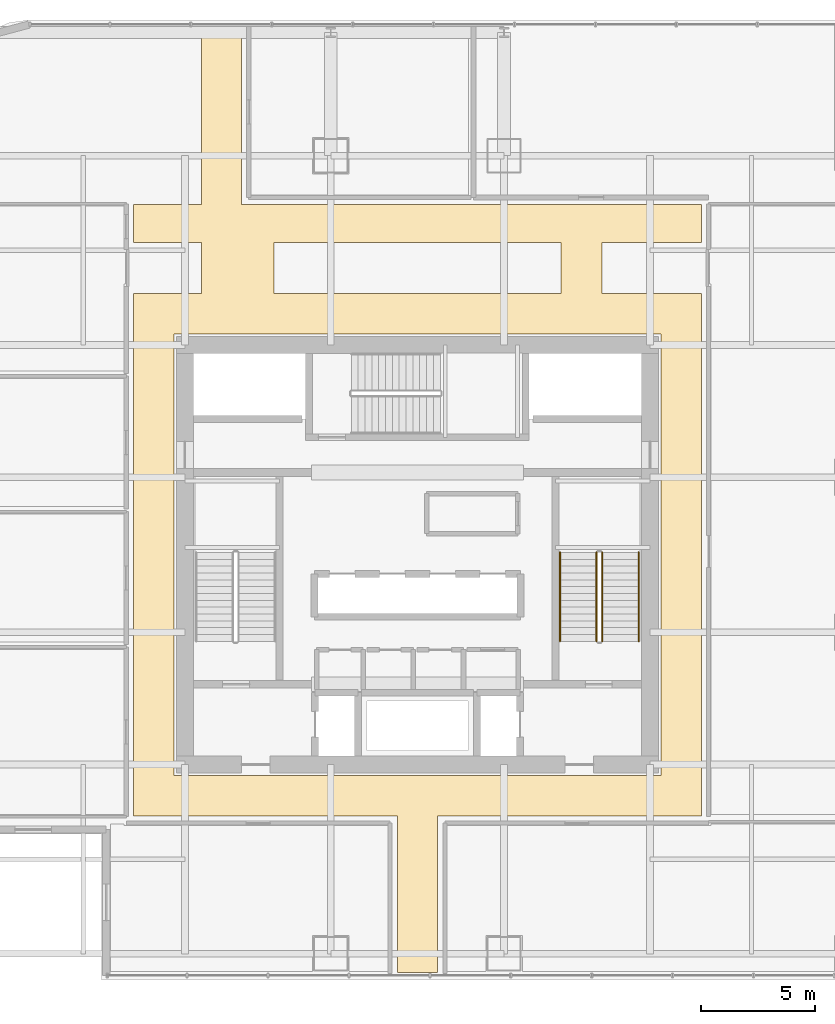
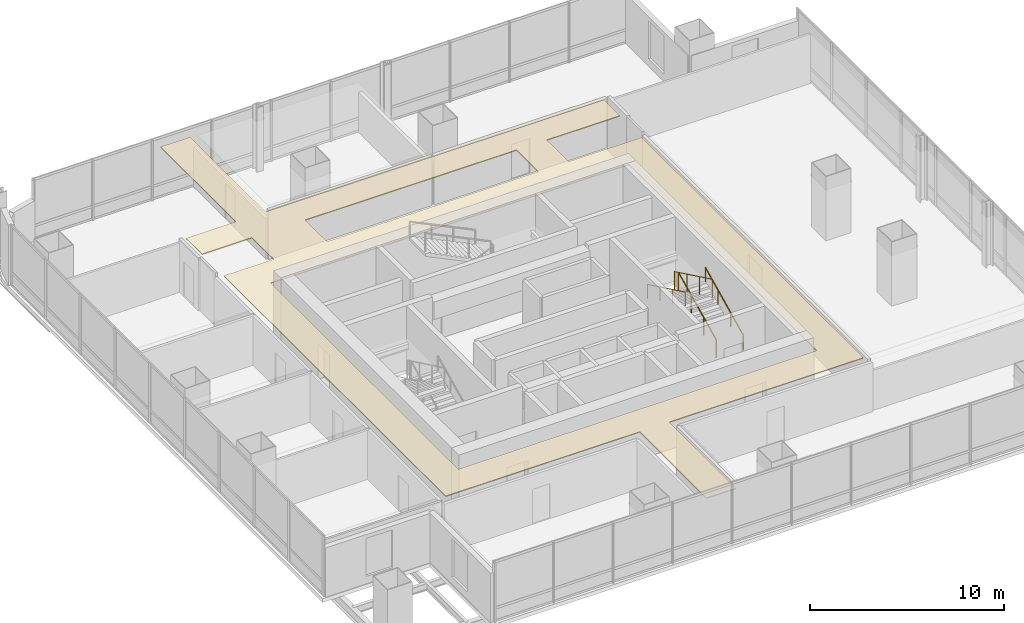
# One storey, part 32 of 34: 4 railings, 1 covering.
"""IFC4 building model written with IfcOpenShell, lengths in metres."""

from ifc_helpers import new_model, si_unit, direction, frame, origin, origin_2d, place, context, subcontext, project, spatial, polyline, circle, outline, extrude, material, layer, layer_set, type_object, element, save


model = new_model("IFC4")

# Units and contexts
model_context = context("Model", 3, precision=1e-05, world=origin(), true_north=direction((0.0, 1.0)))
body_context = subcontext(model_context, "Body", "Model", "MODEL_VIEW")
ifc_project = project(units=[si_unit("LENGTHUNIT", "METRE"), si_unit("AREAUNIT", "SQUARE_METRE"), si_unit("VOLUMEUNIT", "CUBIC_METRE"), si_unit("PLANEANGLEUNIT", "RADIAN"), si_unit("MASSUNIT", "GRAM", prefix="KILO")], contexts=[model_context])

# Site, building, storey
site_placement = place(None, origin())
site = spatial("IfcSite", under=ifc_project, at=site_placement, CompositionType="ELEMENT")
building_placement = place(site_placement, origin())
building = spatial("IfcBuilding", under=site, at=building_placement, Name="Punatoya Terracotta Tower", CompositionType="ELEMENT")
storey_placement = place(building_placement, frame((0.0, 0.0, 117.300048828125)))
storey = spatial("IfcBuildingStorey", under=building, at=storey_placement, Name="L27", CompositionType="ELEMENT", Elevation=117.300048828125)

# Covering
ifc_material_1 = material(Name="Acoustic Mineral Fibre Ceiling")
ifc_layer = layer(ifc_material_1, 0.06005859375)
ifc_layer_set = layer_set([ifc_layer], Name="Acoustic Mineral Fibre Ceiling")
covering_type = type_object("IfcCoveringType", Name="COV-CEIL-60", PredefinedType="CEILING", material=ifc_layer_set)
covering_placement = place(storey_placement, frame((0.0, 0.0, 3.199951171875)))
element("IfcCovering", 1, at=covering_placement, inside=storey, type_object=covering_type, Name="L27 Ring Circulation Corridor Acoustic Ceiling", PredefinedType="CEILING", context=body_context, shape_type="SweptSolid", body=[
    extrude(outline(polyline([(0.8798828125, -18.330078125), (0.8798828125, -11.449951171875), (12.449951171875, -11.449951171875), (12.449951171875, 11.449951171875), (8.10009765625, 11.449951171875), (8.10009765625, 13.699951171875), (12.449951171875, 13.699951171875), (12.449951171875, 15.35009765625), (-7.719970703125, 15.35009765625), (-7.719970703125, 23.1298828125), (-9.47998046875, 23.1298828125), (-9.47998046875, 15.35009765625), (-12.449951171875, 15.35009765625), (-12.449951171875, 13.699951171875), (-9.47998046875, 13.699951171875), (-9.47998046875, 11.449951171875), (-12.449951171875, 11.449951171875), (-12.449951171875, -11.449951171875), (-0.8798828125, -11.449951171875), (-0.8798828125, -18.330078125), (0.8798828125, -18.330078125)]), holes=[polyline([(-10.679931640625, -9.679931640625), (-10.679931640625, 9.679931640625), (10.679931640625, 9.679931640625), (10.679931640625, -9.679931640625), (-10.679931640625, -9.679931640625)]), polyline([(-6.300048828125, 13.699951171875), (6.300048828125, 13.699951171875), (6.300048828125, 11.449951171875), (-6.300048828125, 11.449951171875), (-6.300048828125, 13.699951171875)])]), origin(), (0.0, 0.0, 1.0), 0.06005859375),
])

# Railings
ifc_material_2 = material(Name="Steel S355", Category="steel")
railing_type_1 = type_object("IfcRailingType", Name="RLG-GRD-1150", PredefinedType="GUARDRAIL", material=ifc_material_2)
railing_1_placement = place(storey_placement, frame((8.10009765625, -3.800048828125, 0.14453125)))
element("IfcRailing", 2, at=railing_1_placement, inside=storey, type_object=railing_type_1, Name="L27 ST-2 stair guard 1", PredefinedType="GUARDRAIL", context=body_context, shape_type="SweptSolid", body=[
    extrude(circle(Radius=0.02392578125, at=origin_2d()), frame((0.0, 0.0, 1.1259765625), z_axis=(0.0, 0.900773802044, 0.434288564841), x_axis=(-1.0, 0.0, 0.0)), (0.0, 0.0, 1.0), 4.329833984375),
    extrude(circle(Radius=0.02099609375, at=origin_2d()), origin(), (0.0, 0.0, 1.0), 1.101806640625),
    extrude(circle(Radius=0.02099609375, at=origin_2d()), frame((0.0, 1.300048828125, 0.626708984375)), (0.0, 0.0, 1.0), 1.101806640625),
    extrude(circle(Radius=0.02099609375, at=origin_2d()), frame((0.0, 2.60009765625, 1.253662109375)), (0.0, 0.0, 1.0), 1.101806640625),
    extrude(circle(Radius=0.02099609375, at=origin_2d()), frame((0.0, 3.900146484375, 1.88037109375)), (0.0, 0.0, 1.0), 1.101806640625),
])
railing_2_placement = place(storey_placement, frame((7.85009765625, 0.10009765625, 2.169677734375)))
element("IfcRailing", 3, at=railing_2_placement, inside=storey, type_object=railing_type_1, Name="L27 ST-2 stair guard 3", PredefinedType="GUARDRAIL", context=body_context, shape_type="SweptSolid", body=[
    extrude(circle(Radius=0.02392578125, at=origin_2d()), frame((0.0, 0.0, 1.1259765625), z_axis=(0.0, -0.900773802044, 0.434288564841), x_axis=(1.0, 0.0, 0.0)), (0.0, 0.0, 1.0), 4.329833984375),
    extrude(circle(Radius=0.02099609375, at=origin_2d()), origin(), (0.0, 0.0, 1.0), 1.101806640625),
    extrude(circle(Radius=0.02099609375, at=origin_2d()), frame((0.0, -1.300048828125, 0.626708984375)), (0.0, 0.0, 1.0), 1.101806640625),
    extrude(circle(Radius=0.02099609375, at=origin_2d()), frame((0.0, -2.60009765625, 1.253662109375)), (0.0, 0.0, 1.0), 1.101806640625),
    extrude(circle(Radius=0.02099609375, at=origin_2d()), frame((0.0, -3.900146484375, 1.88037109375)), (0.0, 0.0, 1.0), 1.101806640625),
])
railing_type_2 = type_object("IfcRailingType", Name="RLG-HND-900", PredefinedType="HANDRAIL", material=ifc_material_2)
railing_3_placement = place(storey_placement, frame((9.699951171875, -3.800048828125, 0.14453125)))
element("IfcRailing", 4, at=railing_3_placement, inside=storey, type_object=railing_type_2, Name="L27 ST-2 stair handrail 1", PredefinedType="HANDRAIL", context=body_context, shape_type="SweptSolid", body=[
    extrude(circle(Radius=0.02392578125, at=origin_2d()), frame((0.0, 0.0, 0.8759765625), z_axis=(0.0, 0.900773802044, 0.434288564841), x_axis=(-1.0, 0.0, 0.0)), (0.0, 0.0, 1.0), 4.329833984375),
    extrude(circle(Radius=0.02099609375, at=origin_2d()), origin(), (0.0, 0.0, 1.0), 0.851806640625),
    extrude(circle(Radius=0.02099609375, at=origin_2d()), frame((0.0, 1.300048828125, 0.626708984375)), (0.0, 0.0, 1.0), 0.851806640625),
    extrude(circle(Radius=0.02099609375, at=origin_2d()), frame((0.0, 2.60009765625, 1.253662109375)), (0.0, 0.0, 1.0), 0.851806640625),
    extrude(circle(Radius=0.02099609375, at=origin_2d()), frame((0.0, 3.900146484375, 1.88037109375)), (0.0, 0.0, 1.0), 0.851806640625),
])
railing_4_placement = place(storey_placement, frame((6.25, 0.10009765625, 2.169677734375)))
element("IfcRailing", 5, at=railing_4_placement, inside=storey, type_object=railing_type_2, Name="L27 ST-2 stair handrail 2", PredefinedType="HANDRAIL", context=body_context, shape_type="SweptSolid", body=[
    extrude(circle(Radius=0.02392578125, at=origin_2d()), frame((0.0, 0.0, 0.8759765625), z_axis=(0.0, -0.900773802044, 0.434288564841), x_axis=(1.0, 0.0, 0.0)), (0.0, 0.0, 1.0), 4.329833984375),
    extrude(circle(Radius=0.02099609375, at=origin_2d()), origin(), (0.0, 0.0, 1.0), 0.851806640625),
    extrude(circle(Radius=0.02099609375, at=origin_2d()), frame((0.0, -1.300048828125, 0.626708984375)), (0.0, 0.0, 1.0), 0.851806640625),
    extrude(circle(Radius=0.02099609375, at=origin_2d()), frame((0.0, -2.60009765625, 1.253662109375)), (0.0, 0.0, 1.0), 0.851806640625),
    extrude(circle(Radius=0.02099609375, at=origin_2d()), frame((0.0, -3.900146484375, 1.88037109375)), (0.0, 0.0, 1.0), 0.851806640625),
])

save(model, "model.ifc")
